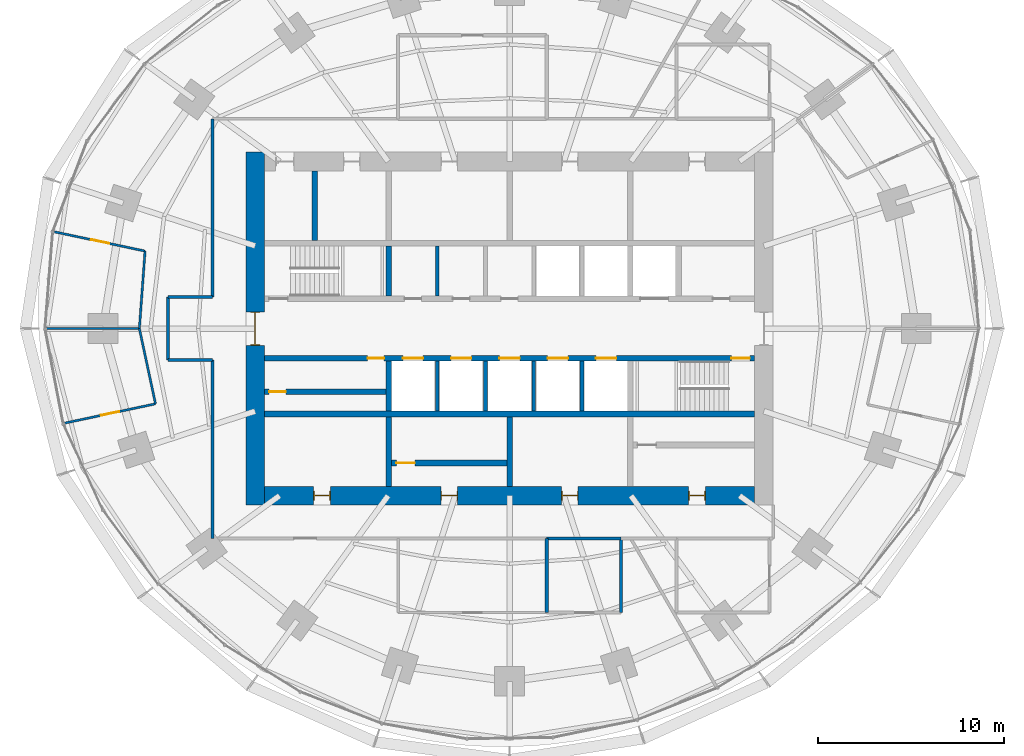
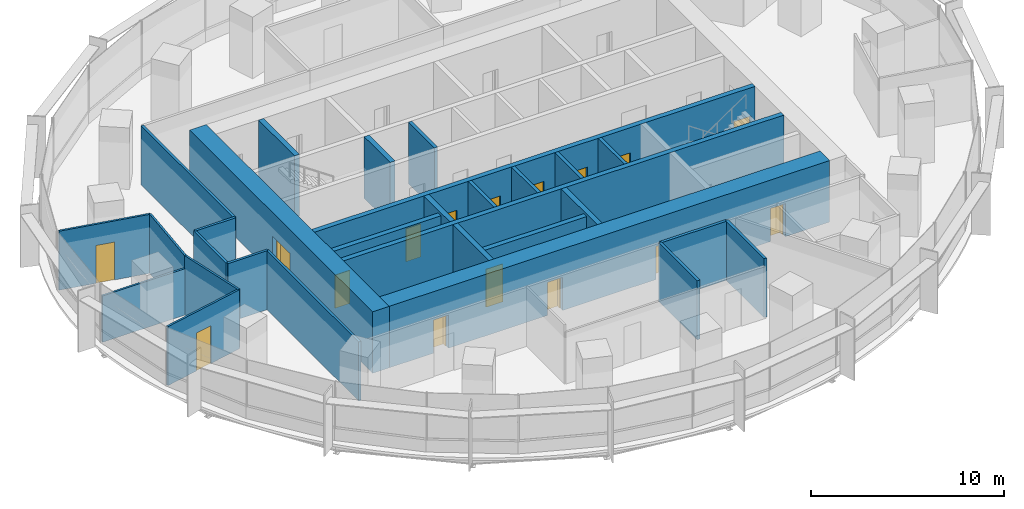
# One storey, part 10 of 14: 29 walls, 16 doors, 16 openings.
"""IFC4 building model written with IfcOpenShell, lengths in metres."""

from ifc_helpers import new_model, si_unit, direction, frame, frame_2d, origin, place, context, subcontext, project, spatial, rectangle, extrude, material, layer, layer_set, type_object, element, fill, save


model = new_model("IFC4")

# Units and contexts
model_context = context("Model", 3, precision=1e-05, world=origin(), true_north=direction((0.0, 1.0)))
body_context = subcontext(model_context, "Body", "Model", "MODEL_VIEW")
ifc_project = project(units=[si_unit("LENGTHUNIT", "METRE"), si_unit("AREAUNIT", "SQUARE_METRE"), si_unit("VOLUMEUNIT", "CUBIC_METRE"), si_unit("PLANEANGLEUNIT", "RADIAN"), si_unit("MASSUNIT", "GRAM", prefix="KILO")], contexts=[model_context])

# Site, building, storey
site_placement = place(None, origin())
site = spatial("IfcSite", under=ifc_project, at=site_placement, CompositionType="ELEMENT")
building_placement = place(site_placement, origin())
building = spatial("IfcBuilding", under=site, at=building_placement, Name="Marramba Exchange Tower", CompositionType="ELEMENT")
storey_placement = place(building_placement, frame((0.0, 0.0, 147.0)))
storey = spatial("IfcBuildingStorey", under=building, at=storey_placement, Name="L35", CompositionType="ELEMENT", Elevation=147.0)

# Walls
ifc_material_1 = material(Name="Plasterboard on staggered double steel studs, acoustic insulation", Category="steel")
ifc_layer_1 = layer(ifc_material_1, 0.169921875)
ifc_layer_set_1 = layer_set([ifc_layer_1], Name="Acoustic partition 170")
wall_type_1 = type_object("IfcWallType", Name="Acoustic partition 170", PredefinedType="PARTITIONING", material=ifc_layer_set_1)
for number, where, z_axis, x_axis, name in (
    (1, (2.0, -11.300048828125, 0.0), (0.0, 0.0, 1.0), (0.0, -1.0, 0.0), "Acoustic partition L35 08"),
    (2, (6.0, -11.300048828125, 0.0), (0.0, 0.0, 1.0), (-1.0, 0.0, 0.0), "Acoustic partition L35 10"),
    (3, (6.0, -15.300048828125, 0.0), (0.0, 0.0, 1.0), (0.0, 1.0, 0.0), "Acoustic partition L35 11"),
):
    element("IfcWall", number, at=place(storey_placement, frame(where, z_axis=z_axis, x_axis=x_axis)), inside=storey, type_object=wall_type_1, Name=name, PredefinedType="PARTITIONING", context=body_context, shape_type="SweptSolid", body=[
        extrude(rectangle(XDim=4.0, YDim=0.169921875, at=frame_2d((2.0, 0.0))), origin(), (0.0, 0.0, 1.0), 3.739990234375),
    ])
ifc_material_2 = material(Name="Concrete N50", Category="concrete")
ifc_layer_2 = layer(ifc_material_2, 0.199951171875)
ifc_layer_set_2 = layer_set([ifc_layer_2], Name="Core shaft wall 200")
wall_type_2 = type_object("IfcWallType", Name="Core shaft wall 200", PredefinedType="SHEAR", material=ifc_layer_set_2)
for number, where, z_axis, x_axis, name in (
    (4, (-3.89990234375, 1.75, 0.0), (0.0, 0.0, 1.0), (0.0, 1.0, 0.0), "Core wall SHN1 L35"),
    (5, (-3.89990234375, -1.75, 0.0), (0.0, 0.0, 1.0), (0.0, -1.0, 0.0), "Core wall SHS1 L35"),
    (6, (-1.300048828125, -1.75, 0.0), (0.0, 0.0, 1.0), (0.0, -1.0, 0.0), "Core wall SHS2 L35"),
    (7, (1.300048828125, -1.75, 0.0), (0.0, 0.0, 1.0), (0.0, -1.0, 0.0), "Core wall SHS3 L35"),
    (8, (3.89990234375, -1.75, 0.0), (0.0, 0.0, 1.0), (0.0, -1.0, 0.0), "Core wall SHS4 L35"),
):
    element("IfcWall", number, at=place(storey_placement, frame(where, z_axis=z_axis, x_axis=x_axis)), inside=storey, type_object=wall_type_2, Name=name, PredefinedType="SHEAR", context=body_context, shape_type="SweptSolid", body=[
        extrude(rectangle(XDim=2.699951171875, YDim=0.199951171875, at=frame_2d((1.35009765625, 0.0))), origin(), (0.0, 0.0, 1.0), 3.89990234375),
    ])

# Wall, openings, doors
ifc_layer_3 = layer(ifc_material_2, 1.0)
ifc_layer_set_3 = layer_set([ifc_layer_3], Name="Core wall 1000")
wall_type_3 = type_object("IfcWallType", Name="Core wall 1000", PredefinedType="SHEAR", material=ifc_layer_set_3)
wall_1_placement = place(storey_placement, frame((-13.199951171875, -9.0, 0.0), z_axis=(0.0, 0.0, 1.0), x_axis=(1.0, 0.0, 0.0)))
wall_1 = element("IfcWall", 9, at=wall_1_placement, inside=storey, type_object=wall_type_3, Name="Core wall S L35", PredefinedType="SHEAR", context=body_context, shape_type="SweptSolid", body=[
    extrude(rectangle(XDim=26.39990234375, YDim=1.0, at=frame_2d((13.199951171875, 0.0))), origin(), (0.0, 0.0, 1.0), 3.89990234375),
])
opening_1_placement = place(wall_1_placement, frame((2.64990234375, 0.0, 0.0)))
opening_1 = element("IfcOpeningElement", 10, at=opening_1_placement, cuts=wall_1, Name="Opening D5", PredefinedType="OPENING", context=body_context, shape_type="SweptSolid", body=[
    extrude(rectangle(XDim=0.89990234375, YDim=2.10009765625, at=frame_2d((0.449951171875, 1.050048828125))), frame((0.0, 0.510009765625, 0.0), z_axis=(0.0, -1.0, 0.0), x_axis=(1.0, 0.0, 0.0)), (0.0, 0.0, 1.0), 1.02001953125),
])
opening_2_placement = place(wall_1_placement, frame((9.5, 0.0, 0.0)))
opening_2 = element("IfcOpeningElement", 11, at=opening_2_placement, cuts=wall_1, Name="Opening D5", PredefinedType="OPENING", context=body_context, shape_type="SweptSolid", body=[
    extrude(rectangle(XDim=0.89990234375, YDim=2.10009765625, at=frame_2d((0.449951171875, 1.050048828125))), frame((0.0, 0.510009765625, 0.0), z_axis=(0.0, -1.0, 0.0), x_axis=(1.0, 0.0, 0.0)), (0.0, 0.0, 1.0), 1.02001953125),
])
opening_3_placement = place(wall_1_placement, frame((16.0, 0.0, 0.0)))
opening_3 = element("IfcOpeningElement", 12, at=opening_3_placement, cuts=wall_1, Name="Opening D5", PredefinedType="OPENING", context=body_context, shape_type="SweptSolid", body=[
    extrude(rectangle(XDim=0.89990234375, YDim=2.10009765625, at=frame_2d((0.449951171875, 1.050048828125))), frame((0.0, 0.510009765625, 0.0), z_axis=(0.0, -1.0, 0.0), x_axis=(1.0, 0.0, 0.0)), (0.0, 0.0, 1.0), 1.02001953125),
])
opening_4_placement = place(wall_1_placement, frame((22.85009765625, 0.0, 0.0)))
opening_4 = element("IfcOpeningElement", 13, at=opening_4_placement, cuts=wall_1, Name="Opening D5", PredefinedType="OPENING", context=body_context, shape_type="SweptSolid", body=[
    extrude(rectangle(XDim=0.89990234375, YDim=2.10009765625, at=frame_2d((0.449951171875, 1.050048828125))), frame((0.0, 0.510009765625, 0.0), z_axis=(0.0, -1.0, 0.0), x_axis=(1.0, 0.0, 0.0)), (0.0, 0.0, 1.0), 1.02001953125),
])
ifc_material_3 = material(Name="Steel-framed door", Category="steel")
door_type_1 = type_object("IfcDoorType", Name="Service door 900x2100", OperationType="SINGLE_SWING_LEFT", PredefinedType="DOOR", material=ifc_material_3)
door_1_placement = place(opening_1_placement, origin())
door_1 = element("IfcDoor", 14, at=door_1_placement, inside=storey, type_object=door_type_1, Name="D5 ahu L35", OperationType="SINGLE_SWING_LEFT", OverallHeight=2.10009765625, OverallWidth=0.89990234375, PredefinedType="DOOR", context=body_context, shape_type="SweptSolid", body=[
    extrude(rectangle(XDim=0.81982421875, YDim=2.06005859375, at=frame_2d((0.449951171875, 1.030029296875))), frame((0.0, 0.02490234375, 0.0), z_axis=(0.0, -1.0, 0.0), x_axis=(1.0, 0.0, 0.0)), (0.0, 0.0, 1.0), 0.050048828125),
    extrude(rectangle(XDim=0.04, YDim=2.10009765625, at=frame_2d((0.02001953125, 1.050048828125))), frame((0.0, 0.25, 0.0), z_axis=(0.0, -1.0, 0.0), x_axis=(1.0, 0.0, 0.0)), (0.0, 0.0, 1.0), 0.5),
    extrude(rectangle(XDim=0.04, YDim=2.10009765625, at=frame_2d((0.8798828125, 1.050048828125))), frame((0.0, 0.25, 0.0), z_axis=(0.0, -1.0, 0.0), x_axis=(1.0, 0.0, 0.0)), (0.0, 0.0, 1.0), 0.5),
    extrude(rectangle(XDim=0.81982421875, YDim=0.04, at=frame_2d((0.449951171875, 2.080078125))), frame((0.0, 0.25, 0.0), z_axis=(0.0, -1.0, 0.0), x_axis=(1.0, 0.0, 0.0)), (0.0, 0.0, 1.0), 0.5),
])
fill(opening_1, door_1)
door_2_placement = place(opening_2_placement, origin())
door_2 = element("IfcDoor", 15, at=door_2_placement, inside=storey, type_object=door_type_1, Name="D5 store L35", OperationType="SINGLE_SWING_RIGHT", OverallHeight=2.10009765625, OverallWidth=0.89990234375, PredefinedType="DOOR", context=body_context, shape_type="SweptSolid", body=[
    extrude(rectangle(XDim=0.81982421875, YDim=2.06005859375, at=frame_2d((0.449951171875, 1.030029296875))), frame((0.0, 0.02490234375, 0.0), z_axis=(0.0, -1.0, 0.0), x_axis=(1.0, 0.0, 0.0)), (0.0, 0.0, 1.0), 0.050048828125),
    extrude(rectangle(XDim=0.04, YDim=2.10009765625, at=frame_2d((0.02001953125, 1.050048828125))), frame((0.0, 0.25, 0.0), z_axis=(0.0, -1.0, 0.0), x_axis=(1.0, 0.0, 0.0)), (0.0, 0.0, 1.0), 0.5),
    extrude(rectangle(XDim=0.04, YDim=2.10009765625, at=frame_2d((0.8798828125, 1.050048828125))), frame((0.0, 0.25, 0.0), z_axis=(0.0, -1.0, 0.0), x_axis=(1.0, 0.0, 0.0)), (0.0, 0.0, 1.0), 0.5),
    extrude(rectangle(XDim=0.81982421875, YDim=0.04, at=frame_2d((0.449951171875, 2.080078125))), frame((0.0, 0.25, 0.0), z_axis=(0.0, -1.0, 0.0), x_axis=(1.0, 0.0, 0.0)), (0.0, 0.0, 1.0), 0.5),
])
fill(opening_2, door_2)
door_3_placement = place(opening_3_placement, origin())
door_3 = element("IfcDoor", 16, at=door_3_placement, inside=storey, type_object=door_type_1, Name="D5 switch L35", OperationType="SINGLE_SWING_RIGHT", OverallHeight=2.10009765625, OverallWidth=0.89990234375, PredefinedType="DOOR", context=body_context, shape_type="SweptSolid", body=[
    extrude(rectangle(XDim=0.81982421875, YDim=2.06005859375, at=frame_2d((0.449951171875, 1.030029296875))), frame((0.0, 0.02490234375, 0.0), z_axis=(0.0, -1.0, 0.0), x_axis=(1.0, 0.0, 0.0)), (0.0, 0.0, 1.0), 0.050048828125),
    extrude(rectangle(XDim=0.04, YDim=2.10009765625, at=frame_2d((0.02001953125, 1.050048828125))), frame((0.0, 0.25, 0.0), z_axis=(0.0, -1.0, 0.0), x_axis=(1.0, 0.0, 0.0)), (0.0, 0.0, 1.0), 0.5),
    extrude(rectangle(XDim=0.04, YDim=2.10009765625, at=frame_2d((0.8798828125, 1.050048828125))), frame((0.0, 0.25, 0.0), z_axis=(0.0, -1.0, 0.0), x_axis=(1.0, 0.0, 0.0)), (0.0, 0.0, 1.0), 0.5),
    extrude(rectangle(XDim=0.81982421875, YDim=0.04, at=frame_2d((0.449951171875, 2.080078125))), frame((0.0, 0.25, 0.0), z_axis=(0.0, -1.0, 0.0), x_axis=(1.0, 0.0, 0.0)), (0.0, 0.0, 1.0), 0.5),
])
fill(opening_3, door_3)
door_4_placement = place(opening_4_placement, origin())
door_4 = element("IfcDoor", 17, at=door_4_placement, inside=storey, type_object=door_type_1, Name="D5 cstore L35", OperationType="SINGLE_SWING_RIGHT", OverallHeight=2.10009765625, OverallWidth=0.89990234375, PredefinedType="DOOR", context=body_context, shape_type="SweptSolid", body=[
    extrude(rectangle(XDim=0.81982421875, YDim=2.06005859375, at=frame_2d((0.449951171875, 1.030029296875))), frame((0.0, 0.02490234375, 0.0), z_axis=(0.0, -1.0, 0.0), x_axis=(1.0, 0.0, 0.0)), (0.0, 0.0, 1.0), 0.050048828125),
    extrude(rectangle(XDim=0.04, YDim=2.10009765625, at=frame_2d((0.02001953125, 1.050048828125))), frame((0.0, 0.25, 0.0), z_axis=(0.0, -1.0, 0.0), x_axis=(1.0, 0.0, 0.0)), (0.0, 0.0, 1.0), 0.5),
    extrude(rectangle(XDim=0.04, YDim=2.10009765625, at=frame_2d((0.8798828125, 1.050048828125))), frame((0.0, 0.25, 0.0), z_axis=(0.0, -1.0, 0.0), x_axis=(1.0, 0.0, 0.0)), (0.0, 0.0, 1.0), 0.5),
    extrude(rectangle(XDim=0.81982421875, YDim=0.04, at=frame_2d((0.449951171875, 2.080078125))), frame((0.0, 0.25, 0.0), z_axis=(0.0, -1.0, 0.0), x_axis=(1.0, 0.0, 0.0)), (0.0, 0.0, 1.0), 0.5),
])
fill(opening_4, door_4)

# Wall, opening, door
wall_2_placement = place(storey_placement, frame((-13.699951171875, 9.5, 0.0), z_axis=(0.0, 0.0, 1.0), x_axis=(0.0, -1.0, 0.0)))
wall_2 = element("IfcWall", 18, at=wall_2_placement, inside=storey, type_object=wall_type_3, Name="Core wall W L35", PredefinedType="SHEAR", context=body_context, shape_type="SweptSolid", body=[
    extrude(rectangle(XDim=19.0, YDim=1.0, at=frame_2d((9.5, 0.0))), origin(), (0.0, 0.0, 1.0), 3.89990234375),
])
opening_5_placement = place(wall_2_placement, frame((8.60009765625, 0.0, 0.0)))
opening_5 = element("IfcOpeningElement", 19, at=opening_5_placement, cuts=wall_2, Name="Opening D1", PredefinedType="OPENING", context=body_context, shape_type="SweptSolid", body=[
    extrude(rectangle(XDim=1.800048828125, YDim=2.39990234375, at=frame_2d((0.89990234375, 1.199951171875))), frame((0.0, 0.510009765625, 0.0), z_axis=(0.0, -1.0, 0.0), x_axis=(1.0, 0.0, 0.0)), (0.0, 0.0, 1.0), 1.02001953125),
])
door_type_2 = type_object("IfcDoorType", Name="Lobby exit door 1800x2400", OperationType="DOUBLE_DOOR_SINGLE_SWING", PredefinedType="DOOR", material=ifc_material_3)
door_5_placement = place(opening_5_placement, origin())
door_5 = element("IfcDoor", 20, at=door_5_placement, inside=storey, type_object=door_type_2, Name="D1 lobby exit west L35", OperationType="DOUBLE_DOOR_SINGLE_SWING", OverallHeight=2.39990234375, OverallWidth=1.800048828125, PredefinedType="DOOR", context=body_context, shape_type="SweptSolid", body=[
    extrude(rectangle(XDim=1.719970703125, YDim=2.35986328125, at=frame_2d((0.89990234375, 1.179931640625))), frame((0.0, 0.02490234375, 0.0), z_axis=(0.0, -1.0, 0.0), x_axis=(1.0, 0.0, 0.0)), (0.0, 0.0, 1.0), 0.050048828125),
    extrude(rectangle(XDim=0.04, YDim=2.39990234375, at=frame_2d((0.02001953125, 1.199951171875))), frame((0.0, 0.25, 0.0), z_axis=(0.0, -1.0, 0.0), x_axis=(1.0, 0.0, 0.0)), (0.0, 0.0, 1.0), 0.5),
    extrude(rectangle(XDim=0.04, YDim=2.39990234375, at=frame_2d((1.780029296875, 1.199951171875))), frame((0.0, 0.25, 0.0), z_axis=(0.0, -1.0, 0.0), x_axis=(1.0, 0.0, 0.0)), (0.0, 0.0, 1.0), 0.5),
    extrude(rectangle(XDim=1.719970703125, YDim=0.04, at=frame_2d((0.89990234375, 2.3798828125))), frame((0.0, 0.25, 0.0), z_axis=(0.0, -1.0, 0.0), x_axis=(1.0, 0.0, 0.0)), (0.0, 0.0, 1.0), 0.5),
])
fill(opening_5, door_5)

# Wall, openings, doors
ifc_layer_4 = layer(ifc_material_2, 0.300048828125)
ifc_layer_set_4 = layer_set([ifc_layer_4], Name="Core wall 300")
wall_type_4 = type_object("IfcWallType", Name="Core wall 300", PredefinedType="SHEAR", material=ifc_layer_set_4)
wall_3_placement = place(storey_placement, frame((-13.199951171875, -1.60009765625, 0.0), z_axis=(0.0, 0.0, 1.0), x_axis=(1.0, 0.0, 0.0)))
wall_3 = element("IfcWall", 21, at=wall_3_placement, inside=storey, type_object=wall_type_4, Name="Core wall LS L35", PredefinedType="SHEAR", context=body_context, shape_type="SweptSolid", body=[
    extrude(rectangle(XDim=26.39990234375, YDim=0.300048828125, at=frame_2d((13.199951171875, 0.0))), origin(), (0.0, 0.0, 1.0), 3.89990234375),
])
opening_6_placement = place(wall_3_placement, frame((25.14990234375, 0.0, 0.0)))
opening_6 = element("IfcOpeningElement", 22, at=opening_6_placement, cuts=wall_3, Name="Opening D2", PredefinedType="OPENING", context=body_context, shape_type="SweptSolid", body=[
    extrude(rectangle(XDim=1.0, YDim=2.10009765625, at=frame_2d((0.5, 1.050048828125))), frame((0.0, 0.159912109375, 0.0), z_axis=(0.0, -1.0, 0.0), x_axis=(1.0, 0.0, 0.0)), (0.0, 0.0, 1.0), 0.320068359375),
])
opening_7_placement = place(wall_3_placement, frame((7.449951171875, 0.0, 0.0)))
opening_7 = element("IfcOpeningElement", 23, at=opening_7_placement, cuts=wall_3, Name="Opening LD1", PredefinedType="OPENING", context=body_context, shape_type="SweptSolid", body=[
    extrude(rectangle(XDim=1.10009765625, YDim=2.300048828125, at=frame_2d((0.550048828125, 1.14990234375))), frame((0.0, 0.159912109375, 0.0), z_axis=(0.0, -1.0, 0.0), x_axis=(1.0, 0.0, 0.0)), (0.0, 0.0, 1.0), 0.320068359375),
])
opening_8_placement = place(wall_3_placement, frame((10.050048828125, 0.0, 0.0)))
opening_8 = element("IfcOpeningElement", 24, at=opening_8_placement, cuts=wall_3, Name="Opening LD1", PredefinedType="OPENING", context=body_context, shape_type="SweptSolid", body=[
    extrude(rectangle(XDim=1.10009765625, YDim=2.300048828125, at=frame_2d((0.550048828125, 1.14990234375))), frame((0.0, 0.159912109375, 0.0), z_axis=(0.0, -1.0, 0.0), x_axis=(1.0, 0.0, 0.0)), (0.0, 0.0, 1.0), 0.320068359375),
])
opening_9_placement = place(wall_3_placement, frame((12.64990234375, 0.0, 0.0)))
opening_9 = element("IfcOpeningElement", 25, at=opening_9_placement, cuts=wall_3, Name="Opening LD1", PredefinedType="OPENING", context=body_context, shape_type="SweptSolid", body=[
    extrude(rectangle(XDim=1.10009765625, YDim=2.300048828125, at=frame_2d((0.550048828125, 1.14990234375))), frame((0.0, 0.159912109375, 0.0), z_axis=(0.0, -1.0, 0.0), x_axis=(1.0, 0.0, 0.0)), (0.0, 0.0, 1.0), 0.320068359375),
])
opening_10_placement = place(wall_3_placement, frame((15.25, 0.0, 0.0)))
opening_10 = element("IfcOpeningElement", 26, at=opening_10_placement, cuts=wall_3, Name="Opening LD2", PredefinedType="OPENING", context=body_context, shape_type="SweptSolid", body=[
    extrude(rectangle(XDim=1.10009765625, YDim=2.300048828125, at=frame_2d((0.550048828125, 1.14990234375))), frame((0.0, 0.159912109375, 0.0), z_axis=(0.0, -1.0, 0.0), x_axis=(1.0, 0.0, 0.0)), (0.0, 0.0, 1.0), 0.320068359375),
])
opening_11_placement = place(wall_3_placement, frame((17.85009765625, 0.0, 0.0)))
opening_11 = element("IfcOpeningElement", 27, at=opening_11_placement, cuts=wall_3, Name="Opening LD2", PredefinedType="OPENING", context=body_context, shape_type="SweptSolid", body=[
    extrude(rectangle(XDim=1.10009765625, YDim=2.300048828125, at=frame_2d((0.550048828125, 1.14990234375))), frame((0.0, 0.159912109375, 0.0), z_axis=(0.0, -1.0, 0.0), x_axis=(1.0, 0.0, 0.0)), (0.0, 0.0, 1.0), 0.320068359375),
])
opening_12_placement = place(wall_3_placement, frame((5.550048828125, 0.0, 0.0)))
opening_12 = element("IfcOpeningElement", 28, at=opening_12_placement, cuts=wall_3, Name="Opening D5", PredefinedType="OPENING", context=body_context, shape_type="SweptSolid", body=[
    extrude(rectangle(XDim=0.89990234375, YDim=2.10009765625, at=frame_2d((0.449951171875, 1.050048828125))), frame((0.0, 0.159912109375, 0.0), z_axis=(0.0, -1.0, 0.0), x_axis=(1.0, 0.0, 0.0)), (0.0, 0.0, 1.0), 0.320068359375),
])
door_type_3 = type_object("IfcDoorType", Name="Emergency lift landing door 1100x2300", OperationType="SLIDING_TO_LEFT", PredefinedType="DOOR", material=ifc_material_3)
door_6_placement = place(opening_10_placement, frame((1.10009765625, 0.0, 0.0), z_axis=(0.0, 0.0, 1.0), x_axis=(-1.0, 0.0, 0.0)))
door_6 = element("IfcDoor", 29, at=door_6_placement, inside=storey, type_object=door_type_3, Name="FL1 landing door L35", OperationType="SLIDING_TO_RIGHT", OverallHeight=2.300048828125, OverallWidth=1.10009765625, PredefinedType="DOOR", context=body_context, shape_type="SweptSolid", body=[
    extrude(rectangle(XDim=1.10009765625, YDim=2.300048828125, at=frame_2d((0.550048828125, 1.14990234375))), frame((0.0, 0.025146484375, 0.0), z_axis=(0.0, -1.0, 0.0), x_axis=(1.0, 0.0, 0.0)), (0.0, 0.0, 1.0), 0.050048828125),
])
fill(opening_10, door_6)
door_7_placement = place(opening_11_placement, frame((1.10009765625, 0.0, 0.0), z_axis=(0.0, 0.0, 1.0), x_axis=(-1.0, 0.0, 0.0)))
door_7 = element("IfcDoor", 30, at=door_7_placement, inside=storey, type_object=door_type_3, Name="FL2 landing door L35", OperationType="SLIDING_TO_LEFT", OverallHeight=2.300048828125, OverallWidth=1.10009765625, PredefinedType="DOOR", context=body_context, shape_type="SweptSolid", body=[
    extrude(rectangle(XDim=1.10009765625, YDim=2.300048828125, at=frame_2d((0.550048828125, 1.14990234375))), frame((0.0, 0.025146484375, 0.0), z_axis=(0.0, -1.0, 0.0), x_axis=(1.0, 0.0, 0.0)), (0.0, 0.0, 1.0), 0.050048828125),
])
fill(opening_11, door_7)
door_type_4 = type_object("IfcDoorType", Name="Lift landing door 1100x2300", OperationType="SLIDING_TO_LEFT", PredefinedType="DOOR", material=ifc_material_3)
door_8_placement = place(opening_7_placement, frame((1.10009765625, 0.0, 0.0), z_axis=(0.0, 0.0, 1.0), x_axis=(-1.0, 0.0, 0.0)))
door_8 = element("IfcDoor", 31, at=door_8_placement, inside=storey, type_object=door_type_4, Name="LB1 landing door L35", OperationType="SLIDING_TO_LEFT", OverallHeight=2.300048828125, OverallWidth=1.10009765625, PredefinedType="DOOR", context=body_context, shape_type="SweptSolid", body=[
    extrude(rectangle(XDim=1.10009765625, YDim=2.300048828125, at=frame_2d((0.550048828125, 1.14990234375))), frame((0.0, 0.025146484375, 0.0), z_axis=(0.0, -1.0, 0.0), x_axis=(1.0, 0.0, 0.0)), (0.0, 0.0, 1.0), 0.050048828125),
])
fill(opening_7, door_8)
door_9_placement = place(opening_8_placement, frame((1.10009765625, 0.0, 0.0), z_axis=(0.0, 0.0, 1.0), x_axis=(-1.0, 0.0, 0.0)))
door_9 = element("IfcDoor", 32, at=door_9_placement, inside=storey, type_object=door_type_4, Name="LB2 landing door L35", OperationType="SLIDING_TO_RIGHT", OverallHeight=2.300048828125, OverallWidth=1.10009765625, PredefinedType="DOOR", context=body_context, shape_type="SweptSolid", body=[
    extrude(rectangle(XDim=1.10009765625, YDim=2.300048828125, at=frame_2d((0.550048828125, 1.14990234375))), frame((0.0, 0.025146484375, 0.0), z_axis=(0.0, -1.0, 0.0), x_axis=(1.0, 0.0, 0.0)), (0.0, 0.0, 1.0), 0.050048828125),
])
fill(opening_8, door_9)
door_10_placement = place(opening_9_placement, frame((1.10009765625, 0.0, 0.0), z_axis=(0.0, 0.0, 1.0), x_axis=(-1.0, 0.0, 0.0)))
door_10 = element("IfcDoor", 33, at=door_10_placement, inside=storey, type_object=door_type_4, Name="LB3 landing door L35", OperationType="SLIDING_TO_RIGHT", OverallHeight=2.300048828125, OverallWidth=1.10009765625, PredefinedType="DOOR", context=body_context, shape_type="SweptSolid", body=[
    extrude(rectangle(XDim=1.10009765625, YDim=2.300048828125, at=frame_2d((0.550048828125, 1.14990234375))), frame((0.0, 0.025146484375, 0.0), z_axis=(0.0, -1.0, 0.0), x_axis=(1.0, 0.0, 0.0)), (0.0, 0.0, 1.0), 0.050048828125),
])
fill(opening_9, door_10)
door_11_placement = place(opening_12_placement, frame((0.89990234375, 0.0, 0.0), z_axis=(0.0, 0.0, 1.0), x_axis=(-1.0, 0.0, 0.0)))
door_11 = element("IfcDoor", 34, at=door_11_placement, inside=storey, type_object=door_type_1, Name="D5 electrical riser L35", OperationType="SINGLE_SWING_LEFT", OverallHeight=2.10009765625, OverallWidth=0.89990234375, PredefinedType="DOOR", context=body_context, shape_type="SweptSolid", body=[
    extrude(rectangle(XDim=0.89990234375, YDim=2.10009765625, at=frame_2d((0.449951171875, 1.050048828125))), frame((0.0, 0.025146484375, 0.0), z_axis=(0.0, -1.0, 0.0), x_axis=(1.0, 0.0, 0.0)), (0.0, 0.0, 1.0), 0.050048828125),
])
fill(opening_12, door_11)
door_type_5 = type_object("IfcDoorType", Name="Stair door 1000x2100", OperationType="SINGLE_SWING_LEFT", PredefinedType="DOOR", material=ifc_material_3)
door_12_placement = place(opening_6_placement, frame((1.0, 0.0, 0.0), z_axis=(0.0, 0.0, 1.0), x_axis=(-1.0, 0.0, 0.0)))
door_12 = element("IfcDoor", 35, at=door_12_placement, inside=storey, type_object=door_type_5, Name="D2 stair ST2 L35", OperationType="SINGLE_SWING_LEFT", OverallHeight=2.10009765625, OverallWidth=1.0, PredefinedType="DOOR", context=body_context, shape_type="SweptSolid", body=[
    extrude(rectangle(XDim=1.0, YDim=2.10009765625, at=frame_2d((0.5, 1.050048828125))), frame((0.0, 0.025146484375, 0.0), z_axis=(0.0, -1.0, 0.0), x_axis=(1.0, 0.0, 0.0)), (0.0, 0.0, 1.0), 0.050048828125),
])
fill(opening_6, door_12)

# Walls
wall_4_placement = place(storey_placement, frame((-13.199951171875, -4.60009765625, 0.0), z_axis=(0.0, 0.0, 1.0), x_axis=(1.0, 0.0, 0.0)))
element("IfcWall", 36, at=wall_4_placement, inside=storey, type_object=wall_type_4, Name="Core wall BS L35", PredefinedType="SHEAR", context=body_context, shape_type="SweptSolid", body=[
    extrude(rectangle(XDim=26.39990234375, YDim=0.300048828125, at=frame_2d((13.199951171875, 0.0))), origin(), (0.0, 0.0, 1.0), 3.89990234375),
])
for number, where, z_axis, x_axis, name in (
    (37, (-6.5, 1.75, 0.0), (0.0, 0.0, 1.0), (0.0, 1.0, 0.0), "Core wall X0Na L35"),
    (38, (-6.5, -1.75, 0.0), (0.0, 0.0, 1.0), (0.0, -1.0, 0.0), "Core wall X0Sa L35"),
):
    element("IfcWall", number, at=place(storey_placement, frame(where, z_axis=z_axis, x_axis=x_axis)), inside=storey, type_object=wall_type_4, Name=name, PredefinedType="SHEAR", context=body_context, shape_type="SweptSolid", body=[
        extrude(rectangle(XDim=2.699951171875, YDim=0.300048828125, at=frame_2d((1.35009765625, 0.0))), origin(), (0.0, 0.0, 1.0), 3.89990234375),
    ])
for number, where, z_axis, x_axis, name in (
    (39, (-6.5, -4.75, 0.0), (0.0, 0.0, 1.0), (0.0, -1.0, 0.0), "Core wall X0Sb L35"),
    (40, (0.0, -4.75, 0.0), (0.0, 0.0, 1.0), (0.0, -1.0, 0.0), "Core wall MS L35"),
    (41, (-10.5, 4.75, 0.0), (0.0, 0.0, 1.0), (0.0, 1.0, 0.0), "Core wall WD L35"),
):
    element("IfcWall", number, at=place(storey_placement, frame(where, z_axis=z_axis, x_axis=x_axis)), inside=storey, type_object=wall_type_4, Name=name, PredefinedType="SHEAR", context=body_context, shape_type="SweptSolid", body=[
        extrude(rectangle(XDim=3.75, YDim=0.300048828125, at=frame_2d((1.875, 0.0))), origin(), (0.0, 0.0, 1.0), 3.89990234375),
    ])
ifc_material_4 = material(Name="Plasterboard on steel studs", Category="steel")
ifc_layer_5 = layer(ifc_material_4, 0.1201171875)
ifc_layer_set_5 = layer_set([ifc_layer_5], Name="Partition 120")
wall_type_5 = type_object("IfcWallType", Name="Partition 120", PredefinedType="PARTITIONING", material=ifc_layer_set_5)
wall_5_placement = place(storey_placement, frame((-19.069580078125, -4.053466796875, 0.0), z_axis=(0.0, 0.0, 1.0), x_axis=(-0.209484846429, 0.977811893524, 0.0)))
element("IfcWall", 42, at=wall_5_placement, inside=storey, type_object=wall_type_5, Name="Partition L35 02", PredefinedType="PARTITIONING", context=body_context, shape_type="SweptSolid", body=[
    extrude(rectangle(XDim=4.1455078125, YDim=0.1201171875, at=frame_2d((2.07275390625, 0.0))), origin(), (0.0, 0.0, 1.0), 3.739990234375),
])

# Wall, opening, door
wall_6_placement = place(storey_placement, frame((-23.96044921875, -5.093017578125, 0.0), z_axis=(0.0, 0.0, 1.0), x_axis=(0.978149046495, 0.207904888932, 0.0)))
wall_6 = element("IfcWall", 43, at=wall_6_placement, inside=storey, type_object=wall_type_5, Name="Partition L35 03", PredefinedType="PARTITIONING", context=body_context, shape_type="SweptSolid", body=[
    extrude(rectangle(XDim=5.000244140625, YDim=0.1201171875, at=frame_2d((2.5, 0.0))), origin(), (0.0, 0.0, 1.0), 3.739990234375),
])
opening_13_placement = place(wall_6_placement, frame((2.0, 0.0, 0.0)))
opening_13 = element("IfcOpeningElement", 44, at=opening_13_placement, cuts=wall_6, Name="Opening D9", PredefinedType="OPENING", context=body_context, shape_type="SweptSolid", body=[
    extrude(rectangle(XDim=1.0, YDim=2.39990234375, at=frame_2d((0.5, 1.199951171875))), frame((0.0, 0.070068359375, 0.0), z_axis=(0.0, -1.0, 0.0), x_axis=(1.0, 0.0, 0.0)), (0.0, 0.0, 1.0), 0.14013671875),
])
ifc_material_5 = material(Name="Timber door", Category="wood")
door_type_6 = type_object("IfcDoorType", Name="Room door 1000x2400", OperationType="SINGLE_SWING_LEFT", PredefinedType="DOOR", material=ifc_material_5)
door_13_placement = place(opening_13_placement, origin())
door_13 = element("IfcDoor", 45, at=door_13_placement, inside=storey, type_object=door_type_6, Name="D9 Office 4 L35", OperationType="SINGLE_SWING_RIGHT", OverallHeight=2.39990234375, OverallWidth=1.0, PredefinedType="DOOR", context=body_context, shape_type="SweptSolid", body=[
    extrude(rectangle(XDim=1.0, YDim=2.39990234375, at=frame_2d((0.5, 1.199951171875))), frame((0.0, 0.02490234375, 0.0), z_axis=(0.0, -1.0, 0.0), x_axis=(1.0, 0.0, 0.0)), (0.0, 0.0, 1.0), 0.050048828125),
])
fill(opening_13, door_13)

wall_7_placement = place(storey_placement, frame((-19.632080078125, 4.173095703125, 0.0), z_axis=(0.0, 0.0, 1.0), x_axis=(-0.978158975012, 0.207858171848, 0.0)))
wall_7 = element("IfcWall", 46, at=wall_7_placement, inside=storey, type_object=wall_type_5, Name="Partition L35 40", PredefinedType="PARTITIONING", context=body_context, shape_type="SweptSolid", body=[
    extrude(rectangle(XDim=5.0, YDim=0.1201171875, at=frame_2d((2.5, 0.0))), origin(), (0.0, 0.0, 1.0), 3.739990234375),
])
opening_14_placement = place(wall_7_placement, frame((1.97509765625, 0.0, 0.0)))
opening_14 = element("IfcOpeningElement", 47, at=opening_14_placement, cuts=wall_7, Name="Opening D9", PredefinedType="OPENING", context=body_context, shape_type="SweptSolid", body=[
    extrude(rectangle(XDim=1.0, YDim=2.39990234375, at=frame_2d((0.5, 1.199951171875))), frame((0.0, 0.070068359375, 0.0), z_axis=(0.0, -1.0, 0.0), x_axis=(1.0, 0.0, 0.0)), (0.0, 0.0, 1.0), 0.14013671875),
])
door_14_placement = place(opening_14_placement, origin())
door_14 = element("IfcDoor", 48, at=door_14_placement, inside=storey, type_object=door_type_6, Name="D9 Office 3 L35", OperationType="SINGLE_SWING_RIGHT", OverallHeight=2.39990234375, OverallWidth=1.0, PredefinedType="DOOR", context=body_context, shape_type="SweptSolid", body=[
    extrude(rectangle(XDim=1.0, YDim=2.39990234375, at=frame_2d((0.5, 1.199951171875))), frame((0.0, 0.02490234375, 0.0), z_axis=(0.0, -1.0, 0.0), x_axis=(1.0, 0.0, 0.0)), (0.0, 0.0, 1.0), 0.050048828125),
])
fill(opening_14, door_14)

# Walls
wall_8_placement = place(storey_placement, frame((-19.93798828125, 0.0, 0.0), z_axis=(0.0, 0.0, 1.0), x_axis=(0.07310869627, 0.99732397872, 0.0)))
element("IfcWall", 49, at=wall_8_placement, inside=storey, type_object=wall_type_5, Name="Partition L35 41", PredefinedType="PARTITIONING", context=body_context, shape_type="SweptSolid", body=[
    extrude(rectangle(XDim=4.184326171875, YDim=0.1201171875, at=frame_2d((2.09228515625, 0.0))), origin(), (0.0, 0.0, 1.0), 3.739990234375),
])
wall_9_placement = place(storey_placement, frame((-19.93798828125, 0.0, 0.0), z_axis=(0.0, 0.0, 1.0), x_axis=(-1.0, 0.0, 0.0)))
element("IfcWall", 50, at=wall_9_placement, inside=storey, type_object=wall_type_5, Name="Partition L35 43", PredefinedType="PARTITIONING", context=body_context, shape_type="SweptSolid", body=[
    extrude(rectangle(XDim=5.0, YDim=0.1201171875, at=frame_2d((2.5, 0.0))), origin(), (0.0, 0.0, 1.0), 2.93994140625),
])

# Wall, opening, door
ifc_material_6 = material(Name="Core-filled concrete blockwork", Category="masonry")
ifc_layer_6 = layer(ifc_material_6, 0.300048828125)
ifc_layer_set_6 = layer_set([ifc_layer_6], Name="Riser enclosure wall 300")
wall_type_6 = type_object("IfcWallType", Name="Riser enclosure wall 300", PredefinedType="SOLIDWALL", material=ifc_layer_set_6)
wall_10_placement = place(storey_placement, frame((-13.199951171875, -3.39990234375, 0.0), z_axis=(0.0, 0.0, 1.0), x_axis=(1.0, 0.0, 0.0)))
wall_10 = element("IfcWall", 51, at=wall_10_placement, inside=storey, type_object=wall_type_6, Name="Riser enclosure wall L35", PredefinedType="SOLIDWALL", context=body_context, shape_type="SweptSolid", body=[
    extrude(rectangle(XDim=6.550048828125, YDim=0.300048828125, at=frame_2d((3.27490234375, 0.0))), origin(), (0.0, 0.0, 1.0), 3.739990234375),
])
opening_15_placement = place(wall_10_placement, frame((0.25, 0.0, 0.0)))
opening_15 = element("IfcOpeningElement", 52, at=opening_15_placement, cuts=wall_10, Name="Opening D5", PredefinedType="OPENING", context=body_context, shape_type="SweptSolid", body=[
    extrude(rectangle(XDim=0.89990234375, YDim=2.10009765625, at=frame_2d((0.449951171875, 1.050048828125))), frame((0.0, 0.159912109375, 0.0), z_axis=(0.0, -1.0, 0.0), x_axis=(1.0, 0.0, 0.0)), (0.0, 0.0, 1.0), 0.320068359375),
])
door_15_placement = place(opening_15_placement, frame((0.89990234375, 0.0, 0.0), z_axis=(0.0, 0.0, 1.0), x_axis=(-1.0, 0.0, 0.0)))
door_15 = element("IfcDoor", 53, at=door_15_placement, inside=storey, type_object=door_type_1, Name="D5 electrical riser back L35", OperationType="SINGLE_SWING_RIGHT", OverallHeight=2.10009765625, OverallWidth=0.89990234375, PredefinedType="DOOR", context=body_context, shape_type="SweptSolid", body=[
    extrude(rectangle(XDim=0.89990234375, YDim=2.10009765625, at=frame_2d((0.449951171875, 1.050048828125))), frame((0.0, 0.025146484375, 0.0), z_axis=(0.0, -1.0, 0.0), x_axis=(1.0, 0.0, 0.0)), (0.0, 0.0, 1.0), 0.050048828125),
])
fill(opening_15, door_15)

ifc_material_7 = material(Name="Plasterboard on steel studs, insulated, unrated", Category="steel")
ifc_layer_7 = layer(ifc_material_7, 0.300048828125)
ifc_layer_set_7 = layer_set([ifc_layer_7], Name="Store partition 300")
wall_type_7 = type_object("IfcWallType", Name="Store partition 300", PredefinedType="PARTITIONING", material=ifc_layer_set_7)
wall_11_placement = place(storey_placement, frame((-6.35009765625, -7.239990234375, 0.0), z_axis=(0.0, 0.0, 1.0), x_axis=(1.0, 0.0, 0.0)))
wall_11 = element("IfcWall", 54, at=wall_11_placement, inside=storey, type_object=wall_type_7, Name="Store partition L35 store", PredefinedType="PARTITIONING", context=body_context, shape_type="SweptSolid", body=[
    extrude(rectangle(XDim=6.2001953125, YDim=0.300048828125, at=frame_2d((3.10009765625, 0.0))), origin(), (0.0, 0.0, 1.0), 3.739990234375),
])
opening_16_placement = place(wall_11_placement, frame((0.25, 0.0, 0.0)))
opening_16 = element("IfcOpeningElement", 55, at=opening_16_placement, cuts=wall_11, Name="Opening D9", PredefinedType="OPENING", context=body_context, shape_type="SweptSolid", body=[
    extrude(rectangle(XDim=1.0, YDim=2.39990234375, at=frame_2d((0.5, 1.199951171875))), frame((0.0, 0.159912109375, 0.0), z_axis=(0.0, -1.0, 0.0), x_axis=(1.0, 0.0, 0.0)), (0.0, 0.0, 1.0), 0.320068359375),
])
door_16_placement = place(opening_16_placement, frame((1.0, 0.0, 0.0), z_axis=(0.0, 0.0, 1.0), x_axis=(-1.0, 0.0, 0.0)))
door_16 = element("IfcDoor", 56, at=door_16_placement, inside=storey, type_object=door_type_6, Name="D9 stationery store L35", OperationType="SINGLE_SWING_RIGHT", OverallHeight=2.39990234375, OverallWidth=1.0, PredefinedType="DOOR", context=body_context, shape_type="SweptSolid", body=[
    extrude(rectangle(XDim=1.0, YDim=2.39990234375, at=frame_2d((0.5, 1.199951171875))), frame((0.0, 0.025146484375, 0.0), z_axis=(0.0, -1.0, 0.0), x_axis=(1.0, 0.0, 0.0)), (0.0, 0.0, 1.0), 0.050048828125),
])
fill(opening_16, door_16)

# Walls
ifc_material_8 = material(Name="Fire-rated plasterboard on steel studs, acoustic insulation", Category="steel")
ifc_layer_8 = layer(ifc_material_8, 0.14990234375)
ifc_layer_set_8 = layer_set([ifc_layer_8], Name="Tenancy wall 150")
wall_type_8 = type_object("IfcWallType", Name="Tenancy wall 150", PredefinedType="PARTITIONING", material=ifc_layer_set_8)
wall_12_placement = place(storey_placement, frame((-18.39990234375, -1.699951171875, 0.0), z_axis=(0.0, 0.0, 1.0), x_axis=(1.0, 0.0, 0.0)))
element("IfcWall", 57, at=wall_12_placement, inside=storey, type_object=wall_type_8, Name="Tenancy wall L35 01", PredefinedType="PARTITIONING", context=body_context, shape_type="SweptSolid", body=[
    extrude(rectangle(XDim=2.39990234375, YDim=0.14990234375, at=frame_2d((1.199951171875, 0.0))), origin(), (0.0, 0.0, 1.0), 3.739990234375),
])
for number, where, z_axis, x_axis, name in (
    (58, (-16.0, -1.699951171875, 0.0), (0.0, 0.0, 1.0), (0.0, -1.0, 0.0), "Tenancy wall L35 04"),
    (59, (-16.0, 11.300048828125, 0.0), (0.0, 0.0, 1.0), (0.0, -1.0, 0.0), "Tenancy wall L35 39"),
):
    element("IfcWall", number, at=place(storey_placement, frame(where, z_axis=z_axis, x_axis=x_axis)), inside=storey, type_object=wall_type_8, Name=name, PredefinedType="PARTITIONING", context=body_context, shape_type="SweptSolid", body=[
        extrude(rectangle(XDim=9.60009765625, YDim=0.14990234375, at=frame_2d((4.800048828125, 0.0))), origin(), (0.0, 0.0, 1.0), 3.739990234375),
    ])
wall_13_placement = place(storey_placement, frame((-16.0, 1.699951171875, 0.0), z_axis=(0.0, 0.0, 1.0), x_axis=(-1.0, 0.0, 0.0)))
element("IfcWall", 60, at=wall_13_placement, inside=storey, type_object=wall_type_8, Name="Tenancy wall L35 42", PredefinedType="PARTITIONING", context=body_context, shape_type="SweptSolid", body=[
    extrude(rectangle(XDim=2.39990234375, YDim=0.14990234375, at=frame_2d((1.199951171875, 0.0))), origin(), (0.0, 0.0, 1.0), 3.739990234375),
])
wall_14_placement = place(storey_placement, frame((-18.39990234375, 1.699951171875, 0.0), z_axis=(0.0, 0.0, 1.0), x_axis=(0.0, -1.0, 0.0)))
element("IfcWall", 61, at=wall_14_placement, inside=storey, type_object=wall_type_8, Name="Tenancy wall L35 44", PredefinedType="PARTITIONING", context=body_context, shape_type="SweptSolid", body=[
    extrude(rectangle(XDim=3.39990234375, YDim=0.14990234375, at=frame_2d((1.699951171875, 0.0))), origin(), (0.0, 0.0, 1.0), 3.739990234375),
])

save(model, "model.ifc")
